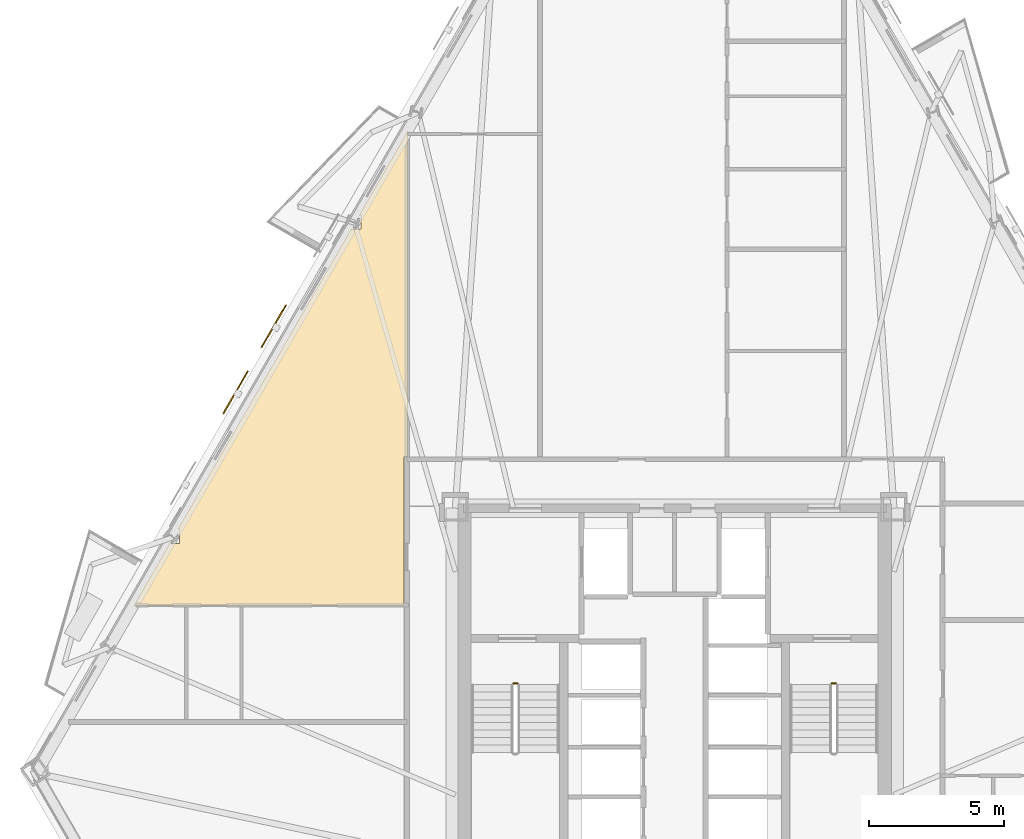
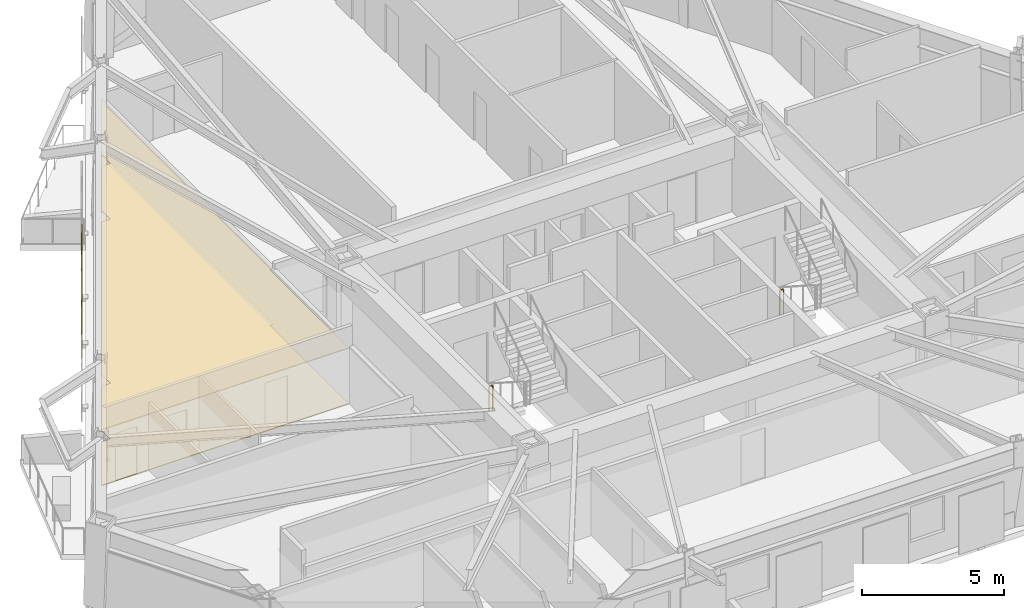
# One storey, part 9 of 10: 2 coverings, 2 railings, 2 shading devices.
"""IFC4 building model written with IfcOpenShell, lengths in metres."""

import ifcopenshell
import ifcopenshell.guid

model = None  # the IFC model being written
_history = None  # IfcOwnerHistory: only IFC2X3 demands one
_inside = {}  # id of a spatial element -> (the spatial element, [elements in it])
_under = {}  # id of a project, library or spatial element -> (it, [spatial elements below it])
_declared = {}  # id of a project -> (the project, [libraries it declares])
_typed = {}  # id of a type object -> (the type object, [elements of that type])
_made_of = {}  # id of a material, layer set ... -> (it, [elements and type objects made of it])


def new_model(schema):
    """Start an empty IFC model of exactly this schema.

    Asked for "IFC4X3", IfcOpenShell would pick the latest addendum, in which some entities
    have other attributes; the version numbers below select the first issue.
    IFC2X3 requires an IfcOwnerHistory on every rooted entity: one is made here for all.
    """
    global model, _history
    if schema == "IFC4X3":
        model = ifcopenshell.file(schema_version=(4, 3, 0, 0))
    else:
        model = ifcopenshell.file(schema=schema)
    _inside.clear()
    _under.clear()
    _declared.clear()
    _typed.clear()
    _made_of.clear()
    _history = None
    if model.schema == "IFC2X3":
        org = make("IfcOrganization", Name="unknown")
        user = make(
            "IfcPersonAndOrganization",
            ThePerson=make("IfcPerson", FamilyName="unknown"),
            TheOrganization=org,
        )
        app = make(
            "IfcApplication",
            ApplicationDeveloper=org,
            Version="unknown",
            ApplicationFullName="unknown",
            ApplicationIdentifier="unknown",
        )
        _history = make(
            "IfcOwnerHistory",
            OwningUser=user,
            OwningApplication=app,
            ChangeAction="ADDED",
            CreationDate=0,
        )
    return model


def make(cls, **values):
    """One entity of the class cls with the attributes given. An attribute that is None is left unset."""
    return model.create_entity(
        cls, **{name: value for name, value in values.items() if value is not None}
    )


def rooted(cls, **values):
    """An entity with a GlobalId (a new one), such as an element, a storey or a relation."""
    return make(cls, GlobalId=ifcopenshell.guid.new(), OwnerHistory=_history, **values)


def si_unit(unit_type, name, prefix=None):
    """IfcSIUnit, for example si_unit("LENGTHUNIT", "METRE", prefix="MILLI")."""
    return make("IfcSIUnit", UnitType=unit_type, Prefix=prefix, Name=name)


def assignment(units):
    """IfcUnitAssignment: the units of a project."""
    return None if units is None else make("IfcUnitAssignment", Units=units)


def point(xyz):
    """IfcCartesianPoint."""
    return None if xyz is None else make("IfcCartesianPoint", Coordinates=xyz)


def direction(xyz):
    """IfcDirection."""
    return None if xyz is None else make("IfcDirection", DirectionRatios=xyz)


def frame(location, z_axis=None, x_axis=None):
    """IfcAxis2Placement3D, a coordinate frame: its origin and axes. An axis left out is left unset."""
    return make(
        "IfcAxis2Placement3D",
        Location=point(location),
        Axis=direction(z_axis),
        RefDirection=direction(x_axis),
    )


def frame_2d(location, x_axis=None):
    """IfcAxis2Placement2D, a coordinate frame in the plane: its origin and x axis."""
    return make(
        "IfcAxis2Placement2D", Location=point(location), RefDirection=direction(x_axis)
    )


def origin():
    """The frame at (0, 0, 0) with its axes left unset."""
    return frame((0.0, 0.0, 0.0))


def origin_2d():
    """The frame at (0, 0) in the plane with its x axis left unset."""
    return frame_2d((0.0, 0.0))


def place(relative_to, where):
    """IfcLocalPlacement: puts the frame where relative to a parent placement (None: the world)."""
    return make(
        "IfcLocalPlacement", PlacementRelTo=relative_to, RelativePlacement=where
    )


def context(
    kind, dimensions, precision=None, world=None, true_north=None, identifier=None
):
    """IfcGeometricRepresentationContext, for example the 3D "Model" context."""
    return make(
        "IfcGeometricRepresentationContext",
        ContextIdentifier=identifier,
        ContextType=kind,
        CoordinateSpaceDimension=dimensions,
        Precision=precision,
        WorldCoordinateSystem=world,
        TrueNorth=true_north,
    )


def subcontext(parent, identifier, kind, view, scale=None):
    """IfcGeometricRepresentationSubContext, for example "Body" below "Model"."""
    return make(
        "IfcGeometricRepresentationSubContext",
        ContextIdentifier=identifier,
        ContextType=kind,
        ParentContext=parent,
        TargetScale=scale,
        TargetView=view,
    )


def project(units=None, contexts=None):
    """IfcProject with its units and contexts."""
    return rooted(
        "IfcProject",
        Name="project",
        RepresentationContexts=contexts,
        UnitsInContext=assignment(units),
    )


def spatial(cls, under=None, at=None, **own):
    """A site, building, storey or space (cls), placed at a placement, below another one or the project."""
    s = rooted(cls, ObjectPlacement=at, **own)
    if under is not None:
        _under.setdefault(under.id(), (under, []))[1].append(s)
    return s


def polyline(points):
    """IfcPolyline through the points."""
    return make("IfcPolyline", Points=[point(p) for p in points])


def profile(cls, at=None, kind="AREA", **sizes):
    """A parametric profile (cls). Its sizes go by their IFC names, for example OverallWidth=200.0."""
    return make(cls, ProfileType=kind, Position=at, **sizes)


def rectangle(**sizes):
    """IfcRectangleProfileDef."""
    return profile("IfcRectangleProfileDef", **sizes)


def circle(**sizes):
    """IfcCircleProfileDef."""
    return profile("IfcCircleProfileDef", **sizes)


def outline(outer, holes=None, kind="AREA"):
    """IfcArbitraryClosedProfileDef: a profile drawn as a closed curve; with holes, ...WithVoids."""
    if holes is None:
        return make("IfcArbitraryClosedProfileDef", ProfileType=kind, OuterCurve=outer)
    return make(
        "IfcArbitraryProfileDefWithVoids",
        ProfileType=kind,
        OuterCurve=outer,
        InnerCurves=holes,
    )


def extrude(swept, where, along, depth):
    """IfcExtrudedAreaSolid: the profile swept, set in the frame where, extruded along a direction by depth."""
    return make(
        "IfcExtrudedAreaSolid",
        SweptArea=swept,
        Position=where,
        ExtrudedDirection=direction(along),
        Depth=depth,
    )


def shape(context_of_items, identifier, shape_type, items):
    """IfcShapeRepresentation: the items that make up one representation, for example the "Body"."""
    return make(
        "IfcShapeRepresentation",
        ContextOfItems=context_of_items,
        RepresentationIdentifier=identifier,
        RepresentationType=shape_type,
        Items=items,
    )


def material(Name=None, Category=None):
    """IfcMaterial."""
    return make("IfcMaterial", Name=Name, Category=Category)


def layer(
    of_material, thickness, ventilated=None, Name=None, Category=None, Priority=None
):
    """IfcMaterialLayer: one layer of a wall or slab, of a material (None: an air gap)."""
    return make(
        "IfcMaterialLayer",
        Material=of_material,
        LayerThickness=thickness,
        IsVentilated=ventilated,
        Name=Name,
        Category=Category,
        Priority=Priority,
    )


def layer_set(layers, Name=None):
    """IfcMaterialLayerSet."""
    return make("IfcMaterialLayerSet", MaterialLayers=layers, LayerSetName=Name)


def made_of(thing, what):
    """Note that an element or type object is made of a material, layer set ...; save() writes the relation."""
    if what is not None:
        _made_of.setdefault(what.id(), (what, []))[1].append(thing)
    return thing


def type_object(cls, material=None, **own):
    """A type object (cls), such as IfcWallType, which elements share."""
    return made_of(rooted(cls, **own), material)


def element(
    cls,
    number,
    at=None,
    inside=None,
    cuts=None,
    type_object=None,
    material=None,
    context=None,
    identifier="Body",
    shape_type=None,
    held_by="IfcProductDefinitionShape",
    body=None,
    shapes=None,
    **own,
):
    """One element of the class cls, such as IfcWall. Its Tag is "e" and its number.

    at: its placement. inside: the storey or other place that contains it. cuts: it is an
    opening in that element (IfcRelVoidsElement). A single representation is given by context,
    identifier, shape_type and body (its items); several are given by shapes. held_by: the class
    of the entity that holds the representations. save() writes the other relations.
    """
    e = rooted(cls, Tag="e%d" % number, ObjectPlacement=at, **own)
    if body is not None:
        shapes = [shape(context, identifier, shape_type, body)]
    if shapes is not None:
        e.Representation = make(held_by, Representations=shapes)
    if inside is not None:
        _inside.setdefault(inside.id(), (inside, []))[1].append(e)
    if cuts is not None:
        rooted(
            "IfcRelVoidsElement", RelatingBuildingElement=cuts, RelatedOpeningElement=e
        )
    if type_object is not None:
        _typed.setdefault(type_object.id(), (type_object, []))[1].append(e)
    return made_of(e, material)


def aggregate(whole, parts):
    """IfcRelAggregates: a whole, such as a stair, and the parts it consists of."""
    return rooted("IfcRelAggregates", RelatingObject=whole, RelatedObjects=parts)


def save(model, path):
    """Write the relations noted so far, then the file.

    IfcRelAggregates (storeys below a building ...), IfcRelContainedInSpatialStructure (elements
    in a storey), IfcRelDefinesByType, IfcRelAssociatesMaterial and IfcRelDeclares: one each for
    every whole, place, type object, material and project.
    """
    for whole, parts in _under.values():
        aggregate(whole, parts)
    for where, things in _inside.values():
        rooted(
            "IfcRelContainedInSpatialStructure",
            RelatedElements=things,
            RelatingStructure=where,
        )
    for kind, things in _typed.values():
        rooted("IfcRelDefinesByType", RelatedObjects=things, RelatingType=kind)
    for what, things in _made_of.values():
        rooted("IfcRelAssociatesMaterial", RelatedObjects=things, RelatingMaterial=what)
    for by, libraries in _declared.values():
        rooted("IfcRelDeclares", RelatingContext=by, RelatedDefinitions=libraries)
    model.write(path)


model = new_model("IFC4")

# Units and contexts
model_context = context("Model", 3, precision=1e-05, world=origin(), true_north=direction((0.0, 1.0)))
body_context = subcontext(model_context, "Body", "Model", "MODEL_VIEW")
ifc_project = project(units=[si_unit("LENGTHUNIT", "METRE"), si_unit("AREAUNIT", "SQUARE_METRE"), si_unit("VOLUMEUNIT", "CUBIC_METRE"), si_unit("PLANEANGLEUNIT", "RADIAN"), si_unit("MASSUNIT", "GRAM", prefix="KILO")], contexts=[model_context])

# Site, building, storey
site_placement = place(None, origin())
site = spatial("IfcSite", under=ifc_project, at=site_placement, CompositionType="ELEMENT")
building_placement = place(site_placement, origin())
building = spatial("IfcBuilding", under=site, at=building_placement, Name="Oramaril Tower", CompositionType="ELEMENT")
storey_placement = place(building_placement, frame((0.0, 0.0, 63.300048828125)))
storey = spatial("IfcBuildingStorey", under=building, at=storey_placement, Name="L16", CompositionType="ELEMENT", Elevation=63.300048828125)

# Coverings
ifc_material_1 = material(Name="Mineral Fibre Acoustic Ceiling")
ifc_layer_1 = layer(ifc_material_1, 0.02001953125)
ifc_layer_set_1 = layer_set([ifc_layer_1], Name="CVT-CEIL")
covering_type_1 = type_object("IfcCoveringType", Name="CVT-CEIL", PredefinedType="CEILING", material=ifc_layer_set_1)
covering_1_placement = place(storey_placement, frame((0.0, 0.0, 2.39990234375)))
element("IfcCovering", 1, at=covering_1_placement, inside=storey, type_object=covering_type_1, Name="L16 Acoustic Suspended Ceiling 13", PredefinedType="CEILING", context=body_context, shape_type="SweptSolid", body=[
    extrude(outline(polyline([(18.7294921875, 22.83203125), (19.089111328125, 22.83203125), (19.089111328125, 23.369140625), (19.03955078125, 23.369140625), (25.482177734375, 34.528076171875), (25.841796875, 34.528076171875), (25.841796875, 35.034423828125), (25.774658203125, 35.034423828125), (27.592041015625, 38.182373046875), (27.592041015625, 26.070068359375), (27.469970703125, 26.070068359375), (27.468017578125, 26.06982421875), (27.466064453125, 26.069580078125), (27.464111328125, 26.069091796875), (27.46240234375, 26.068603515625), (27.460693359375, 26.067626953125), (27.458984375, 26.066650390625), (27.457275390625, 26.0654296875), (27.455810546875, 26.064208984375), (27.45458984375, 26.062744140625), (27.453369140625, 26.06103515625), (27.452392578125, 26.059326171875), (27.451416015625, 26.0576171875), (27.450927734375, 26.055908203125), (27.450439453125, 26.053955078125), (27.4501953125, 26.052001953125), (27.449951171875, 26.050048828125), (27.449951171875, 24.239990234375), (27.4501953125, 24.238037109375), (27.450439453125, 24.236083984375), (27.450927734375, 24.234130859375), (27.451416015625, 24.232421875), (27.452392578125, 24.230712890625), (27.45263671875, 24.22998046875), (27.452392578125, 24.2294921875), (27.451416015625, 24.227783203125), (27.450927734375, 24.225830078125), (27.450439453125, 24.223876953125), (27.4501953125, 24.221923828125), (27.449951171875, 24.219970703125), (27.449951171875, 20.508056640625), (17.3876953125, 20.508056640625), (18.7294921875, 22.83203125)])), origin(), (0.0, 0.0, 1.0), 0.02001953125),
])
ifc_material_2 = material(Name="Honed Quartzite Stone Flooring", Category="masonry")
ifc_layer_2 = layer(ifc_material_2, 0.02490234375)
ifc_layer_set_2 = layer_set([ifc_layer_2], Name="CVT-FLR")
covering_type_2 = type_object("IfcCoveringType", Name="CVT-FLR", PredefinedType="FLOORING", material=ifc_layer_set_2)
covering_2_placement = place(storey_placement, origin())
element("IfcCovering", 2, at=covering_2_placement, inside=storey, type_object=covering_type_2, Name="L16 Honed Stone Floor Finish 13", PredefinedType="FLOORING", context=body_context, shape_type="SweptSolid", body=[
    extrude(outline(polyline([(18.7294921875, 22.83203125), (19.089111328125, 22.83203125), (19.089111328125, 23.369140625), (19.03955078125, 23.369140625), (25.482177734375, 34.528076171875), (25.841796875, 34.528076171875), (25.841796875, 35.034423828125), (25.774658203125, 35.034423828125), (27.592041015625, 38.182373046875), (27.592041015625, 26.070068359375), (27.469970703125, 26.070068359375), (27.468017578125, 26.06982421875), (27.466064453125, 26.069580078125), (27.464111328125, 26.069091796875), (27.46240234375, 26.068603515625), (27.460693359375, 26.067626953125), (27.458984375, 26.066650390625), (27.457275390625, 26.0654296875), (27.455810546875, 26.064208984375), (27.45458984375, 26.062744140625), (27.453369140625, 26.06103515625), (27.452392578125, 26.059326171875), (27.451416015625, 26.0576171875), (27.450927734375, 26.055908203125), (27.450439453125, 26.053955078125), (27.4501953125, 26.052001953125), (27.449951171875, 26.050048828125), (27.449951171875, 24.239990234375), (27.4501953125, 24.238037109375), (27.450439453125, 24.236083984375), (27.450927734375, 24.234130859375), (27.451416015625, 24.232421875), (27.452392578125, 24.230712890625), (27.45263671875, 24.22998046875), (27.452392578125, 24.2294921875), (27.451416015625, 24.227783203125), (27.450927734375, 24.225830078125), (27.450439453125, 24.223876953125), (27.4501953125, 24.221923828125), (27.449951171875, 24.219970703125), (27.449951171875, 20.508056640625), (17.3876953125, 20.508056640625), (18.7294921875, 22.83203125)])), origin(), (0.0, 0.0, 1.0), 0.02490234375),
])

# Railings
ifc_material_3 = material(Name="Stainless Steel 316L", Category="steel")
railing_type = type_object("IfcRailingType", Name="RLT-GRD", PredefinedType="GUARDRAIL", material=ifc_material_3)
for number, where, name in (
    (3, (31.510009765625, 17.639892578125, 0.0), "L16 ST-1 stair guard 4"),
    (4, (43.340087890625, 17.639892578125, 0.0), "L16 ST-2 stair guard 4"),
):
    element("IfcRailing", number, at=place(storey_placement, frame(where)), inside=storey, type_object=railing_type, Name=name, PredefinedType="GUARDRAIL", context=body_context, shape_type="SweptSolid", body=[
        extrude(circle(Radius=0.02392578125, at=origin_2d()), frame((0.0, 0.0, 1.076171875), z_axis=(1.0, 0.0, 0.0), x_axis=(0.0, 1.0, 0.0)), (0.0, 0.0, 1.0), 0.14990234375),
        extrude(circle(Radius=0.02099609375, at=origin_2d()), origin(), (0.0, 0.0, 1.0), 1.052001953125),
        extrude(circle(Radius=0.02099609375, at=origin_2d()), frame((0.14990234375, 0.0, 0.0)), (0.0, 0.0, 1.0), 1.052001953125),
    ])

# Shading devices
for number, where, z_axis, x_axis, name in (
    (5, (22.60107421875, 30.913818359375, -0.02001953125), (0.0, 0.0, 1.0), (-0.4999984885, -0.866026276448, 0.0), "L16 Perforated Ceramic Solar Screen"),
    (6, (21.182373046875, 28.45654296875, -0.02001953125), (0.0, 0.0, 1.0), (-0.4999984885, -0.866026276448, 0.0), "L16 Perforated Ceramic Solar Screen"),
):
    element("IfcShadingDevice", number, at=place(storey_placement, frame(where, z_axis=z_axis, x_axis=x_axis)), inside=storey, Name=name, ObjectType="SCREEN", PredefinedType="USERDEFINED", context=body_context, shape_type="SweptSolid", body=[
        extrude(rectangle(XDim=1.8330078125, YDim=0.050048828125, at=origin_2d()), origin(), (0.0, 0.0, 1.0), 2.493896484375),
    ])

save(model, "model.ifc")
